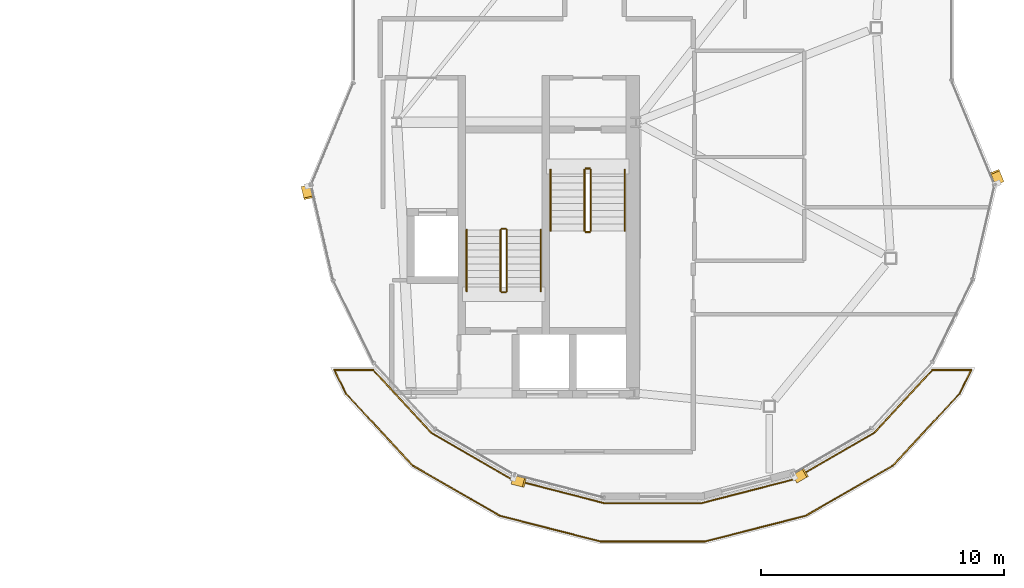
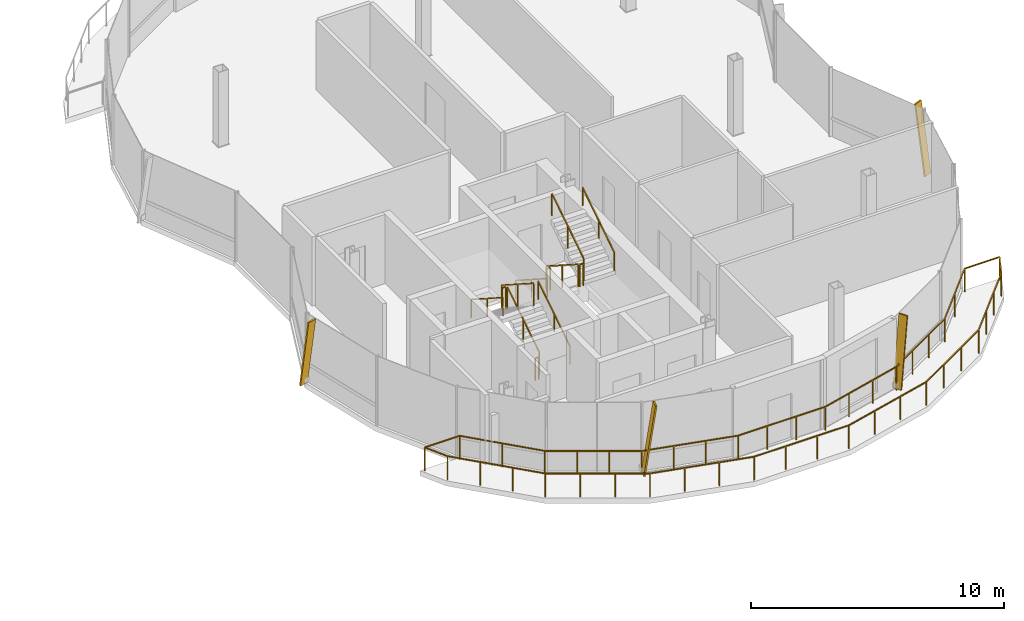
# One storey, part 19 of 20: 21 railings, 4 shading devices.
"""IFC4 building model written with IfcOpenShell, lengths in metres."""

from ifc_helpers import new_model, si_unit, direction, frame, origin, origin_2d, place, context, subcontext, project, spatial, rectangle, extrude, material, material_profile, profile_set, type_object, element, save


model = new_model("IFC4")

# Units and contexts
model_context = context("Model", 3, precision=1e-05, world=origin(), true_north=direction((0.0, 1.0)))
body_context = subcontext(model_context, "Body", "Model", "MODEL_VIEW")
ifc_project = project(units=[si_unit("LENGTHUNIT", "METRE"), si_unit("AREAUNIT", "SQUARE_METRE"), si_unit("VOLUMEUNIT", "CUBIC_METRE"), si_unit("PLANEANGLEUNIT", "RADIAN"), si_unit("MASSUNIT", "GRAM", prefix="KILO"), si_unit("THERMODYNAMICTEMPERATUREUNIT", "KELVIN"), si_unit("POWERUNIT", "WATT")], contexts=[model_context])

# Site, building, storey
site_placement = place(None, origin())
site = spatial("IfcSite", under=ifc_project, at=site_placement, CompositionType="ELEMENT")
building_placement = place(site_placement, origin())
building = spatial("IfcBuilding", under=site, at=building_placement, Name="Cundina Bronze Exchange", CompositionType="ELEMENT")
storey_placement = place(building_placement, frame((0.0, 0.0, 282.800048828125)))
storey = spatial("IfcBuildingStorey", under=building, at=storey_placement, Name="L75", CompositionType="ELEMENT", Elevation=282.800048828125)

# Railings
ifc_material_1 = material(Name="Heat-Strengthened Solar-Control Bronze Safety Glass 28mm", Category="glass")
railing_type_1 = type_object("IfcRailingType", Name="RLG-BAL-1150", PredefinedType="BALUSTRADE", material=ifc_material_1)
railing_1_placement = place(storey_placement, frame((44.640625, -15.07470703125, 0.0)))
element("IfcRailing", 1, at=railing_1_placement, inside=storey, type_object=railing_type_1, Name="L75 Perimeter Safety Guardrail 01", PredefinedType="BALUSTRADE", context=body_context, shape_type="SweptSolid", body=[
    extrude(rectangle(XDim=0.048095703125, YDim=0.048095703125, at=origin_2d()), frame((0.0, 0.0, 1.1259765625), z_axis=(-0.680478858048, -0.732767714729, 0.0), x_axis=(0.732767714729, -0.680478858048, 0.0)), (0.0, 0.0, 1.0), 4.048095703125),
    extrude(rectangle(XDim=0.048095703125, YDim=0.048095703125, at=origin_2d()), frame((-2.754638671875, -2.96630859375, 1.1259765625), z_axis=(-0.866464594672, -0.499238526338, 0.0), x_axis=(0.499238526338, -0.866464594672, 0.0)), (0.0, 0.0, 1.0), 4.13525390625),
    extrude(rectangle(XDim=0.0419921875, YDim=0.0419921875, at=origin_2d()), origin(), (0.0, 0.0, 1.0), 1.101806640625),
    extrude(rectangle(XDim=0.0419921875, YDim=0.0419921875, at=origin_2d()), frame((-0.918212890625, -0.98876953125, 0.0)), (0.0, 0.0, 1.0), 1.101806640625),
    extrude(rectangle(XDim=0.0419921875, YDim=0.0419921875, at=origin_2d()), frame((-1.83642578125, -1.9775390625, 0.0)), (0.0, 0.0, 1.0), 1.101806640625),
    extrude(rectangle(XDim=0.0419921875, YDim=0.0419921875, at=origin_2d()), frame((-2.754638671875, -2.96630859375, 0.0)), (0.0, 0.0, 1.0), 1.101806640625),
    extrude(rectangle(XDim=0.0419921875, YDim=0.0419921875, at=origin_2d()), frame((-3.948974609375, -3.654541015625, 0.0)), (0.0, 0.0, 1.0), 1.101806640625),
    extrude(rectangle(XDim=0.0419921875, YDim=0.0419921875, at=origin_2d()), frame((-5.143310546875, -4.342529296875, 0.0)), (0.0, 0.0, 1.0), 1.101806640625),
    extrude(rectangle(XDim=0.0419921875, YDim=0.0419921875, at=origin_2d()), frame((-6.337646484375, -5.03076171875, 0.0)), (0.0, 0.0, 1.0), 1.101806640625),
])
railing_2_placement = place(storey_placement, frame((38.302978515625, -20.10546875, 0.0)))
element("IfcRailing", 2, at=railing_2_placement, inside=storey, type_object=railing_type_1, Name="L75 Perimeter Safety Guardrail 02", PredefinedType="BALUSTRADE", context=body_context, shape_type="SweptSolid", body=[
    extrude(rectangle(XDim=0.048095703125, YDim=0.048095703125, at=origin_2d()), frame((0.0, 0.0, 1.1259765625), z_axis=(-0.968741395097, -0.248072790578, 0.0), x_axis=(0.248072790578, -0.968741395097, 0.0)), (0.0, 0.0, 1.0), 4.271240234375),
    extrude(rectangle(XDim=0.048095703125, YDim=0.048095703125, at=origin_2d()), frame((-4.1376953125, -1.0595703125, 1.1259765625), z_axis=(-1.0, 0.0, 0.0), x_axis=(0.0, -1.0, 0.0)), (0.0, 0.0, 1.0), 4.33056640625),
    extrude(rectangle(XDim=0.0419921875, YDim=0.0419921875, at=origin_2d()), origin(), (0.0, 0.0, 1.0), 1.101806640625),
    extrude(rectangle(XDim=0.0419921875, YDim=0.0419921875, at=origin_2d()), frame((-1.379150390625, -0.353271484375, 0.0)), (0.0, 0.0, 1.0), 1.101806640625),
    extrude(rectangle(XDim=0.0419921875, YDim=0.0419921875, at=origin_2d()), frame((-2.758544921875, -0.706298828125, 0.0)), (0.0, 0.0, 1.0), 1.101806640625),
    extrude(rectangle(XDim=0.0419921875, YDim=0.0419921875, at=origin_2d()), frame((-4.1376953125, -1.0595703125, 0.0)), (0.0, 0.0, 1.0), 1.101806640625),
    extrude(rectangle(XDim=0.0419921875, YDim=0.0419921875, at=origin_2d()), frame((-5.581298828125, -1.0595703125, 0.0)), (0.0, 0.0, 1.0), 1.101806640625),
    extrude(rectangle(XDim=0.0419921875, YDim=0.0419921875, at=origin_2d()), frame((-7.024658203125, -1.0595703125, 0.0)), (0.0, 0.0, 1.0), 1.101806640625),
    extrude(rectangle(XDim=0.0419921875, YDim=0.0419921875, at=origin_2d()), frame((-8.46826171875, -1.0595703125, 0.0)), (0.0, 0.0, 1.0), 1.101806640625),
])
railing_3_placement = place(storey_placement, frame((29.834716796875, -21.1650390625, 0.0)))
element("IfcRailing", 3, at=railing_3_placement, inside=storey, type_object=railing_type_1, Name="L75 Perimeter Safety Guardrail 03", PredefinedType="BALUSTRADE", context=body_context, shape_type="SweptSolid", body=[
    extrude(rectangle(XDim=0.048095703125, YDim=0.048095703125, at=origin_2d()), frame((0.0, 0.0, 1.1259765625), z_axis=(-0.968741395097, 0.248072790578, 0.0), x_axis=(-0.248072790578, -0.968741395097, 0.0)), (0.0, 0.0, 1.0), 4.271240234375),
    extrude(rectangle(XDim=0.048095703125, YDim=0.048095703125, at=origin_2d()), frame((-4.1376953125, 1.0595703125, 1.1259765625), z_axis=(-0.866464594672, 0.499238526338, 0.0), x_axis=(-0.499238526338, -0.866464594672, 0.0)), (0.0, 0.0, 1.0), 4.13525390625),
    extrude(rectangle(XDim=0.0419921875, YDim=0.0419921875, at=origin_2d()), origin(), (0.0, 0.0, 1.0), 1.101806640625),
    extrude(rectangle(XDim=0.0419921875, YDim=0.0419921875, at=origin_2d()), frame((-1.379150390625, 0.353271484375, 0.0)), (0.0, 0.0, 1.0), 1.101806640625),
    extrude(rectangle(XDim=0.0419921875, YDim=0.0419921875, at=origin_2d()), frame((-2.758544921875, 0.706298828125, 0.0)), (0.0, 0.0, 1.0), 1.101806640625),
    extrude(rectangle(XDim=0.0419921875, YDim=0.0419921875, at=origin_2d()), frame((-4.1376953125, 1.0595703125, 0.0)), (0.0, 0.0, 1.0), 1.101806640625),
    extrude(rectangle(XDim=0.0419921875, YDim=0.0419921875, at=origin_2d()), frame((-5.33203125, 1.747802734375, 0.0)), (0.0, 0.0, 1.0), 1.101806640625),
    extrude(rectangle(XDim=0.0419921875, YDim=0.0419921875, at=origin_2d()), frame((-6.5263671875, 2.435791015625, 0.0)), (0.0, 0.0, 1.0), 1.101806640625),
    extrude(rectangle(XDim=0.0419921875, YDim=0.0419921875, at=origin_2d()), frame((-7.720703125, 3.1240234375, 0.0)), (0.0, 0.0, 1.0), 1.101806640625),
])
railing_4_placement = place(storey_placement, frame((22.114013671875, -18.041015625, 0.0)))
element("IfcRailing", 4, at=railing_4_placement, inside=storey, type_object=railing_type_1, Name="L75 Perimeter Safety Guardrail 04", PredefinedType="BALUSTRADE", context=body_context, shape_type="SweptSolid", body=[
    extrude(rectangle(XDim=0.048095703125, YDim=0.048095703125, at=origin_2d()), frame((0.0, 0.0, 1.1259765625), z_axis=(-0.680478858048, 0.732767714729, 0.0), x_axis=(-0.732767714729, -0.680478858048, 0.0)), (0.0, 0.0, 1.0), 4.048095703125),
    extrude(rectangle(XDim=0.048095703125, YDim=0.048095703125, at=origin_2d()), frame((-2.754638671875, 2.96630859375, 1.1259765625), z_axis=(-0.43927470941, 0.898352786868, 0.0), x_axis=(-0.898352786868, -0.43927470941, 0.0)), (0.0, 0.0, 1.0), 1.0849609375),
    extrude(rectangle(XDim=0.0419921875, YDim=0.0419921875, at=origin_2d()), origin(), (0.0, 0.0, 1.0), 1.101806640625),
    extrude(rectangle(XDim=0.0419921875, YDim=0.0419921875, at=origin_2d()), frame((-0.918212890625, 0.98876953125, 0.0)), (0.0, 0.0, 1.0), 1.101806640625),
    extrude(rectangle(XDim=0.0419921875, YDim=0.0419921875, at=origin_2d()), frame((-1.83642578125, 1.9775390625, 0.0)), (0.0, 0.0, 1.0), 1.101806640625),
    extrude(rectangle(XDim=0.0419921875, YDim=0.0419921875, at=origin_2d()), frame((-2.754638671875, 2.96630859375, 0.0)), (0.0, 0.0, 1.0), 1.101806640625),
    extrude(rectangle(XDim=0.0419921875, YDim=0.0419921875, at=origin_2d()), frame((-3.231201171875, 3.94091796875, 0.0)), (0.0, 0.0, 1.0), 1.101806640625),
])
railing_5_placement = place(storey_placement, frame((18.8828125, -14.10009765625, 0.0)))
element("IfcRailing", 5, at=railing_5_placement, inside=storey, type_object=railing_type_1, Name="L75 Perimeter Safety Guardrail 05", PredefinedType="BALUSTRADE", context=body_context, shape_type="SweptSolid", body=[
    extrude(rectangle(XDim=0.048095703125, YDim=0.048095703125, at=origin_2d()), frame((0.0, 0.0, 1.1259765625), z_axis=(1.0, 0.0, 0.0), x_axis=(0.0, 1.0, 0.0)), (0.0, 0.0, 1.0), 1.595458984375),
    extrude(rectangle(XDim=0.048095703125, YDim=0.048095703125, at=origin_2d()), frame((1.595458984375, 0.0, 1.1259765625), z_axis=(0.679395599719, -0.733772184729, 0.0), x_axis=(0.733772184729, 0.679395599719, 0.0)), (0.0, 0.0, 1.0), 3.5244140625),
    extrude(rectangle(XDim=0.0419921875, YDim=0.0419921875, at=origin_2d()), origin(), (0.0, 0.0, 1.0), 1.101806640625),
    extrude(rectangle(XDim=0.0419921875, YDim=0.0419921875, at=origin_2d()), frame((1.595458984375, 0.0, 0.0)), (0.0, 0.0, 1.0), 1.101806640625),
    extrude(rectangle(XDim=0.0419921875, YDim=0.0419921875, at=origin_2d()), frame((2.792724609375, -1.29296875, 0.0)), (0.0, 0.0, 1.0), 1.101806640625),
    extrude(rectangle(XDim=0.0419921875, YDim=0.0419921875, at=origin_2d()), frame((3.989990234375, -2.586181640625, 0.0)), (0.0, 0.0, 1.0), 1.101806640625),
])
railing_6_placement = place(storey_placement, frame((22.872802734375, -16.686279296875, 0.0)))
element("IfcRailing", 6, at=railing_6_placement, inside=storey, type_object=railing_type_1, Name="L75 Perimeter Safety Guardrail 06", PredefinedType="BALUSTRADE", context=body_context, shape_type="SweptSolid", body=[
    extrude(rectangle(XDim=0.048095703125, YDim=0.048095703125, at=origin_2d()), frame((0.0, 0.0, 1.1259765625), z_axis=(0.86517535854, -0.501469439721, 0.0), x_axis=(0.501469439721, 0.86517535854, 0.0)), (0.0, 0.0, 1.0), 3.82080078125),
    extrude(rectangle(XDim=0.048095703125, YDim=0.048095703125, at=origin_2d()), frame((3.3056640625, -1.916015625, 1.1259765625), z_axis=(0.968310500269, -0.249749424563, 0.0), x_axis=(0.249749424563, 0.968310500269, 0.0)), (0.0, 0.0, 1.0), 3.9619140625),
    extrude(rectangle(XDim=0.0419921875, YDim=0.0419921875, at=origin_2d()), origin(), (0.0, 0.0, 1.0), 1.101806640625),
    extrude(rectangle(XDim=0.0419921875, YDim=0.0419921875, at=origin_2d()), frame((1.101806640625, -0.638671875, 0.0)), (0.0, 0.0, 1.0), 1.101806640625),
    extrude(rectangle(XDim=0.0419921875, YDim=0.0419921875, at=origin_2d()), frame((2.203857421875, -1.27734375, 0.0)), (0.0, 0.0, 1.0), 1.101806640625),
    extrude(rectangle(XDim=0.0419921875, YDim=0.0419921875, at=origin_2d()), frame((3.3056640625, -1.916015625, 0.0)), (0.0, 0.0, 1.0), 1.101806640625),
    extrude(rectangle(XDim=0.0419921875, YDim=0.0419921875, at=origin_2d()), frame((4.58447265625, -2.245849609375, 0.0)), (0.0, 0.0, 1.0), 1.101806640625),
    extrude(rectangle(XDim=0.0419921875, YDim=0.0419921875, at=origin_2d()), frame((5.86328125, -2.57568359375, 0.0)), (0.0, 0.0, 1.0), 1.101806640625),
    extrude(rectangle(XDim=0.0419921875, YDim=0.0419921875, at=origin_2d()), frame((7.14208984375, -2.905517578125, 0.0)), (0.0, 0.0, 1.0), 1.101806640625),
])
railing_7_placement = place(storey_placement, frame((30.014892578125, -19.591796875, 0.0)))
element("IfcRailing", 7, at=railing_7_placement, inside=storey, type_object=railing_type_1, Name="L75 Perimeter Safety Guardrail 07", PredefinedType="BALUSTRADE", context=body_context, shape_type="SweptSolid", body=[
    extrude(rectangle(XDim=0.048095703125, YDim=0.048095703125, at=origin_2d()), frame((0.0, 0.0, 1.1259765625), z_axis=(0.999999992474, 0.000122684332, 0.0), x_axis=(-0.000122684332, 0.999999992474, 0.0)), (0.0, 0.0, 1.0), 3.97998046875),
    extrude(rectangle(XDim=0.048095703125, YDim=0.048095703125, at=origin_2d()), frame((3.97998046875, 0.00048828125, 1.1259765625), z_axis=(0.968349470457, 0.249598283379, 0.0), x_axis=(-0.249598283379, 0.968349470457, 0.0)), (0.0, 0.0, 1.0), 3.93310546875),
    extrude(rectangle(XDim=0.0419921875, YDim=0.0419921875, at=origin_2d()), origin(), (0.0, 0.0, 1.0), 1.101806640625),
    extrude(rectangle(XDim=0.0419921875, YDim=0.0419921875, at=origin_2d()), frame((1.32666015625, 0.000244140625, 0.0)), (0.0, 0.0, 1.0), 1.101806640625),
    extrude(rectangle(XDim=0.0419921875, YDim=0.0419921875, at=origin_2d()), frame((2.6533203125, 0.000244140625, 0.0)), (0.0, 0.0, 1.0), 1.101806640625),
    extrude(rectangle(XDim=0.0419921875, YDim=0.0419921875, at=origin_2d()), frame((3.97998046875, 0.00048828125, 0.0)), (0.0, 0.0, 1.0), 1.101806640625),
    extrude(rectangle(XDim=0.0419921875, YDim=0.0419921875, at=origin_2d()), frame((5.24951171875, 0.32763671875, 0.0)), (0.0, 0.0, 1.0), 1.101806640625),
    extrude(rectangle(XDim=0.0419921875, YDim=0.0419921875, at=origin_2d()), frame((6.51904296875, 0.655029296875, 0.0)), (0.0, 0.0, 1.0), 1.101806640625),
    extrude(rectangle(XDim=0.0419921875, YDim=0.0419921875, at=origin_2d()), frame((7.78857421875, 0.982177734375, 0.0)), (0.0, 0.0, 1.0), 1.101806640625),
])
railing_8_placement = place(storey_placement, frame((37.803466796875, -18.609619140625, 0.0)))
element("IfcRailing", 8, at=railing_8_placement, inside=storey, type_object=railing_type_1, Name="L75 Perimeter Safety Guardrail 08", PredefinedType="BALUSTRADE", context=body_context, shape_type="SweptSolid", body=[
    extrude(rectangle(XDim=0.048095703125, YDim=0.048095703125, at=origin_2d()), frame((0.0, 0.0, 1.1259765625), z_axis=(0.865530732652, 0.50085581841, 0.0), x_axis=(-0.50085581841, 0.865530732652, 0.0)), (0.0, 0.0, 1.0), 3.840087890625),
    extrude(rectangle(XDim=0.048095703125, YDim=0.048095703125, at=origin_2d()), frame((3.32373046875, 1.92333984375, 1.1259765625), z_axis=(0.679395599719, 0.733772184729, 0.0), x_axis=(-0.733772184729, 0.679395599719, 0.0)), (0.0, 0.0, 1.0), 3.5244140625),
    extrude(rectangle(XDim=0.0419921875, YDim=0.0419921875, at=origin_2d()), origin(), (0.0, 0.0, 1.0), 1.101806640625),
    extrude(rectangle(XDim=0.0419921875, YDim=0.0419921875, at=origin_2d()), frame((1.10791015625, 0.64111328125, 0.0)), (0.0, 0.0, 1.0), 1.101806640625),
    extrude(rectangle(XDim=0.0419921875, YDim=0.0419921875, at=origin_2d()), frame((2.2158203125, 1.2822265625, 0.0)), (0.0, 0.0, 1.0), 1.101806640625),
    extrude(rectangle(XDim=0.0419921875, YDim=0.0419921875, at=origin_2d()), frame((3.32373046875, 1.92333984375, 0.0)), (0.0, 0.0, 1.0), 1.101806640625),
    extrude(rectangle(XDim=0.0419921875, YDim=0.0419921875, at=origin_2d()), frame((4.52099609375, 3.21630859375, 0.0)), (0.0, 0.0, 1.0), 1.101806640625),
    extrude(rectangle(XDim=0.0419921875, YDim=0.0419921875, at=origin_2d()), frame((5.71826171875, 4.509521484375, 0.0)), (0.0, 0.0, 1.0), 1.101806640625),
])
railing_9_placement = place(storey_placement, frame((43.521728515625, -14.10009765625, 0.0)))
element("IfcRailing", 9, at=railing_9_placement, inside=storey, type_object=railing_type_1, Name="L75 Perimeter Safety Guardrail 09", PredefinedType="BALUSTRADE", context=body_context, shape_type="SweptSolid", body=[
    extrude(rectangle(XDim=0.048095703125, YDim=0.048095703125, at=origin_2d()), frame((0.0, 0.0, 1.1259765625), z_axis=(1.0, 0.0, 0.0), x_axis=(0.0, 1.0, 0.0)), (0.0, 0.0, 1.0), 1.595458984375),
    extrude(rectangle(XDim=0.048095703125, YDim=0.048095703125, at=origin_2d()), frame((1.595458984375, 0.0, 1.1259765625), z_axis=(-0.43927470941, -0.898352786868, 0.0), x_axis=(0.898352786868, -0.43927470941, 0.0)), (0.0, 0.0, 1.0), 1.0849609375),
    extrude(rectangle(XDim=0.0419921875, YDim=0.0419921875, at=origin_2d()), origin(), (0.0, 0.0, 1.0), 1.101806640625),
    extrude(rectangle(XDim=0.0419921875, YDim=0.0419921875, at=origin_2d()), frame((1.595458984375, 0.0, 0.0)), (0.0, 0.0, 1.0), 1.101806640625),
    extrude(rectangle(XDim=0.0419921875, YDim=0.0419921875, at=origin_2d()), frame((1.118896484375, -0.974609375, 0.0)), (0.0, 0.0, 1.0), 1.101806640625),
])
ifc_material_2 = material(Name="Steel ASTM A36 Painted", Category="steel")
railing_type_2 = type_object("IfcRailingType", Name="RLG-HND-900", PredefinedType="HANDRAIL", material=ifc_material_2)
railing_10_placement = place(storey_placement, frame((27.7900390625, -5.85009765625, 0.179931640625)))
element("IfcRailing", 10, at=railing_10_placement, inside=storey, type_object=railing_type_2, Name="L75 ST-E1 stair handrail 1", PredefinedType="HANDRAIL", context=body_context, shape_type="SweptSolid", body=[
    extrude(rectangle(XDim=0.048095703125, YDim=0.048095703125, at=origin_2d()), frame((0.0, 0.0, 0.8759765625), z_axis=(0.0, -0.841162588446, 0.540782303519), x_axis=(1.0, 0.0, 0.0)), (0.0, 0.0, 1.0), 2.995849609375),
    extrude(rectangle(XDim=0.0419921875, YDim=0.0419921875, at=origin_2d()), origin(), (0.0, 0.0, 1.0), 0.851806640625),
    extrude(rectangle(XDim=0.0419921875, YDim=0.0419921875, at=origin_2d()), frame((0.0, -1.260009765625, 0.81005859375)), (0.0, 0.0, 1.0), 0.851806640625),
    extrude(rectangle(XDim=0.0419921875, YDim=0.0419921875, at=origin_2d()), frame((0.0, -2.52001953125, 1.6201171875)), (0.0, 0.0, 1.0), 0.851806640625),
])
railing_11_placement = place(storey_placement, frame((30.85009765625, -8.3701171875, 1.97998046875)))
element("IfcRailing", 11, at=railing_11_placement, inside=storey, type_object=railing_type_2, Name="L75 ST-E1 stair handrail 2", PredefinedType="HANDRAIL", context=body_context, shape_type="SweptSolid", body=[
    extrude(rectangle(XDim=0.048095703125, YDim=0.048095703125, at=origin_2d()), frame((0.0, 0.0, 0.8759765625), z_axis=(0.0, 0.841199657755, 0.540724639528), x_axis=(-1.0, 0.0, 0.0)), (0.0, 0.0, 1.0), 2.995849609375),
    extrude(rectangle(XDim=0.0419921875, YDim=0.0419921875, at=origin_2d()), origin(), (0.0, 0.0, 1.0), 0.851806640625),
    extrude(rectangle(XDim=0.0419921875, YDim=0.0419921875, at=origin_2d()), frame((0.0, 1.260009765625, 0.81005859375)), (0.0, 0.0, 1.0), 0.851806640625),
    extrude(rectangle(XDim=0.0419921875, YDim=0.0419921875, at=origin_2d()), frame((0.0, 2.52001953125, 1.619873046875)), (0.0, 0.0, 1.0), 0.851806640625),
])
railing_12_placement = place(storey_placement, frame((27.389892578125, -10.85009765625, 0.179931640625)))
element("IfcRailing", 12, at=railing_12_placement, inside=storey, type_object=railing_type_2, Name="L75 ST-E2 stair handrail 1", PredefinedType="HANDRAIL", context=body_context, shape_type="SweptSolid", body=[
    extrude(rectangle(XDim=0.048095703125, YDim=0.048095703125, at=origin_2d()), frame((0.0, 0.0, 0.8759765625), z_axis=(0.0, 0.841162588446, 0.540782303519), x_axis=(-1.0, 0.0, 0.0)), (0.0, 0.0, 1.0), 2.995849609375),
    extrude(rectangle(XDim=0.0419921875, YDim=0.0419921875, at=origin_2d()), origin(), (0.0, 0.0, 1.0), 0.851806640625),
    extrude(rectangle(XDim=0.0419921875, YDim=0.0419921875, at=origin_2d()), frame((0.0, 1.260009765625, 0.81005859375)), (0.0, 0.0, 1.0), 0.851806640625),
    extrude(rectangle(XDim=0.0419921875, YDim=0.0419921875, at=origin_2d()), frame((0.0, 2.52001953125, 1.6201171875)), (0.0, 0.0, 1.0), 0.851806640625),
])
railing_13_placement = place(storey_placement, frame((24.330078125, -8.330078125, 1.97998046875)))
element("IfcRailing", 13, at=railing_13_placement, inside=storey, type_object=railing_type_2, Name="L75 ST-E2 stair handrail 2", PredefinedType="HANDRAIL", context=body_context, shape_type="SweptSolid", body=[
    extrude(rectangle(XDim=0.048095703125, YDim=0.048095703125, at=origin_2d()), frame((0.0, 0.0, 0.8759765625), z_axis=(0.0, -0.841199657755, 0.540724639528), x_axis=(1.0, 0.0, 0.0)), (0.0, 0.0, 1.0), 2.995849609375),
    extrude(rectangle(XDim=0.0419921875, YDim=0.0419921875, at=origin_2d()), origin(), (0.0, 0.0, 1.0), 0.851806640625),
    extrude(rectangle(XDim=0.0419921875, YDim=0.0419921875, at=origin_2d()), frame((0.0, -1.260009765625, 0.81005859375)), (0.0, 0.0, 1.0), 0.851806640625),
    extrude(rectangle(XDim=0.0419921875, YDim=0.0419921875, at=origin_2d()), frame((0.0, -2.52001953125, 1.619873046875)), (0.0, 0.0, 1.0), 0.851806640625),
])
railing_type_3 = type_object("IfcRailingType", Name="RLG-STG-1100", PredefinedType="GUARDRAIL", material=ifc_material_2)
railing_14_placement = place(storey_placement, frame((29.18994140625, -5.85009765625, 0.179931640625)))
element("IfcRailing", 14, at=railing_14_placement, inside=storey, type_object=railing_type_3, Name="L75 ST-E1 stair guard 1", PredefinedType="GUARDRAIL", context=body_context, shape_type="SweptSolid", body=[
    extrude(rectangle(XDim=0.048095703125, YDim=0.048095703125, at=origin_2d()), frame((0.0, 0.0, 1.076171875), z_axis=(0.0, -0.841162588446, 0.540782303519), x_axis=(1.0, 0.0, 0.0)), (0.0, 0.0, 1.0), 2.995849609375),
    extrude(rectangle(XDim=0.0419921875, YDim=0.0419921875, at=origin_2d()), origin(), (0.0, 0.0, 1.0), 1.052001953125),
    extrude(rectangle(XDim=0.0419921875, YDim=0.0419921875, at=origin_2d()), frame((0.0, -1.260009765625, 0.81005859375)), (0.0, 0.0, 1.0), 1.052001953125),
    extrude(rectangle(XDim=0.0419921875, YDim=0.0419921875, at=origin_2d()), frame((0.0, -2.52001953125, 1.6201171875)), (0.0, 0.0, 1.0), 1.052001953125),
])
railing_15_placement = place(storey_placement, frame((29.239990234375, -8.419921875, 1.800048828125)))
element("IfcRailing", 15, at=railing_15_placement, inside=storey, type_object=railing_type_3, Name="L75 ST-E1 stair guard 2", PredefinedType="GUARDRAIL", context=body_context, shape_type="SweptSolid", body=[
    extrude(rectangle(XDim=0.048095703125, YDim=0.048095703125, at=origin_2d()), frame((0.0, 0.0, 1.076171875), z_axis=(1.0, 0.0, 0.0), x_axis=(0.0, 1.0, 0.0)), (0.0, 0.0, 1.0), 0.159912109375),
    extrude(rectangle(XDim=0.0419921875, YDim=0.0419921875, at=origin_2d()), origin(), (0.0, 0.0, 1.0), 1.052001953125),
    extrude(rectangle(XDim=0.0419921875, YDim=0.0419921875, at=origin_2d()), frame((0.159912109375, 0.0, 0.0)), (0.0, 0.0, 1.0), 1.052001953125),
])
railing_16_placement = place(storey_placement, frame((29.449951171875, -8.3701171875, 1.97998046875)))
element("IfcRailing", 16, at=railing_16_placement, inside=storey, type_object=railing_type_3, Name="L75 ST-E1 stair guard 3", PredefinedType="GUARDRAIL", context=body_context, shape_type="SweptSolid", body=[
    extrude(rectangle(XDim=0.048095703125, YDim=0.048095703125, at=origin_2d()), frame((0.0, 0.0, 1.076171875), z_axis=(0.0, 0.841199657755, 0.540724639528), x_axis=(-1.0, 0.0, 0.0)), (0.0, 0.0, 1.0), 2.995849609375),
    extrude(rectangle(XDim=0.0419921875, YDim=0.0419921875, at=origin_2d()), origin(), (0.0, 0.0, 1.0), 1.052001953125),
    extrude(rectangle(XDim=0.0419921875, YDim=0.0419921875, at=origin_2d()), frame((0.0, 1.260009765625, 0.81005859375)), (0.0, 0.0, 1.0), 1.052001953125),
    extrude(rectangle(XDim=0.0419921875, YDim=0.0419921875, at=origin_2d()), frame((0.0, 2.52001953125, 1.619873046875)), (0.0, 0.0, 1.0), 1.052001953125),
])
railing_17_placement = place(storey_placement, frame((29.239990234375, -5.800048828125, 0.0)))
element("IfcRailing", 17, at=railing_17_placement, inside=storey, type_object=railing_type_3, Name="L75 ST-E1 stair guard 4", PredefinedType="GUARDRAIL", context=body_context, shape_type="SweptSolid", body=[
    extrude(rectangle(XDim=0.048095703125, YDim=0.048095703125, at=origin_2d()), frame((0.0, 0.0, 1.076171875), z_axis=(1.0, 0.0, 0.0), x_axis=(0.0, 1.0, 0.0)), (0.0, 0.0, 1.0), 0.159912109375),
    extrude(rectangle(XDim=0.0419921875, YDim=0.0419921875, at=origin_2d()), origin(), (0.0, 0.0, 1.0), 1.052001953125),
    extrude(rectangle(XDim=0.0419921875, YDim=0.0419921875, at=origin_2d()), frame((0.159912109375, 0.0, 0.0)), (0.0, 0.0, 1.0), 1.052001953125),
])
railing_18_placement = place(storey_placement, frame((25.989990234375, -10.85009765625, 0.179931640625)))
element("IfcRailing", 18, at=railing_18_placement, inside=storey, type_object=railing_type_3, Name="L75 ST-E2 stair guard 1", PredefinedType="GUARDRAIL", context=body_context, shape_type="SweptSolid", body=[
    extrude(rectangle(XDim=0.048095703125, YDim=0.048095703125, at=origin_2d()), frame((0.0, 0.0, 1.076171875), z_axis=(0.0, 0.841162588446, 0.540782303519), x_axis=(-1.0, 0.0, 0.0)), (0.0, 0.0, 1.0), 2.995849609375),
    extrude(rectangle(XDim=0.0419921875, YDim=0.0419921875, at=origin_2d()), origin(), (0.0, 0.0, 1.0), 1.052001953125),
    extrude(rectangle(XDim=0.0419921875, YDim=0.0419921875, at=origin_2d()), frame((0.0, 1.260009765625, 0.81005859375)), (0.0, 0.0, 1.0), 1.052001953125),
    extrude(rectangle(XDim=0.0419921875, YDim=0.0419921875, at=origin_2d()), frame((0.0, 2.52001953125, 1.6201171875)), (0.0, 0.0, 1.0), 1.052001953125),
])
railing_19_placement = place(storey_placement, frame((25.93994140625, -8.280029296875, 1.800048828125)))
element("IfcRailing", 19, at=railing_19_placement, inside=storey, type_object=railing_type_3, Name="L75 ST-E2 stair guard 2", PredefinedType="GUARDRAIL", context=body_context, shape_type="SweptSolid", body=[
    extrude(rectangle(XDim=0.048095703125, YDim=0.048095703125, at=origin_2d()), frame((0.0, 0.0, 1.076171875), z_axis=(-1.0, 0.0, 0.0), x_axis=(0.0, -1.0, 0.0)), (0.0, 0.0, 1.0), 0.159912109375),
    extrude(rectangle(XDim=0.0419921875, YDim=0.0419921875, at=origin_2d()), origin(), (0.0, 0.0, 1.0), 1.052001953125),
    extrude(rectangle(XDim=0.0419921875, YDim=0.0419921875, at=origin_2d()), frame((-0.159912109375, 0.0, 0.0)), (0.0, 0.0, 1.0), 1.052001953125),
])
railing_20_placement = place(storey_placement, frame((25.72998046875, -8.330078125, 1.97998046875)))
element("IfcRailing", 20, at=railing_20_placement, inside=storey, type_object=railing_type_3, Name="L75 ST-E2 stair guard 3", PredefinedType="GUARDRAIL", context=body_context, shape_type="SweptSolid", body=[
    extrude(rectangle(XDim=0.048095703125, YDim=0.048095703125, at=origin_2d()), frame((0.0, 0.0, 1.076171875), z_axis=(0.0, -0.841199657755, 0.540724639528), x_axis=(1.0, 0.0, 0.0)), (0.0, 0.0, 1.0), 2.995849609375),
    extrude(rectangle(XDim=0.0419921875, YDim=0.0419921875, at=origin_2d()), origin(), (0.0, 0.0, 1.0), 1.052001953125),
    extrude(rectangle(XDim=0.0419921875, YDim=0.0419921875, at=origin_2d()), frame((0.0, -1.260009765625, 0.81005859375)), (0.0, 0.0, 1.0), 1.052001953125),
    extrude(rectangle(XDim=0.0419921875, YDim=0.0419921875, at=origin_2d()), frame((0.0, -2.52001953125, 1.619873046875)), (0.0, 0.0, 1.0), 1.052001953125),
])
railing_21_placement = place(storey_placement, frame((25.93994140625, -10.89990234375, 0.0)))
element("IfcRailing", 21, at=railing_21_placement, inside=storey, type_object=railing_type_3, Name="L75 ST-E2 stair guard 4", PredefinedType="GUARDRAIL", context=body_context, shape_type="SweptSolid", body=[
    extrude(rectangle(XDim=0.048095703125, YDim=0.048095703125, at=origin_2d()), frame((0.0, 0.0, 1.076171875), z_axis=(-1.0, 0.0, 0.0), x_axis=(0.0, -1.0, 0.0)), (0.0, 0.0, 1.0), 0.159912109375),
    extrude(rectangle(XDim=0.0419921875, YDim=0.0419921875, at=origin_2d()), origin(), (0.0, 0.0, 1.0), 1.052001953125),
    extrude(rectangle(XDim=0.0419921875, YDim=0.0419921875, at=origin_2d()), frame((-0.159912109375, 0.0, 0.0)), (0.0, 0.0, 1.0), 1.052001953125),
])

# Shading devices
ifc_material_3 = material(Name="Anodised Bronze Aluminium 6063-T6", Category="aluminium")
ifc_material_profile = material_profile(ifc_material_3, rectangle(XDim=0.070068359375, YDim=0.3798828125, at=origin_2d()), Name="FIN70X380", Category="aluminium")
ifc_profile_set = profile_set([ifc_material_profile], Name="Anodised Bronze Aluminium 6063-T6")
shading_device_type = type_object("IfcShadingDeviceType", Name="SHD-FIN-BRZ380", PredefinedType="USERDEFINED", material=ifc_profile_set)
for number, where, z_axis, x_axis, name in (
    (22, (17.70849609375, -6.54443359375, 0.02001953125), (0.03250557226, -0.140198583057, 0.989589685213), (-0.223511197181, 0.964017888742, 0.143917528186), "L75 Diagonal Bronze Solar Fin 1"),
    (23, (26.2451171875, -18.62744140625, 0.02001953125), (0.139392541617, -0.035946290932, 0.989584550966), (-0.958235473959, 0.247107992497, 0.143952827309), "L75 Diagonal Bronze Solar Fin 5"),
    (24, (37.868408203125, -18.5810546875, 0.02001953125), (0.124531728208, 0.072112729151, 0.989591634445), (-0.856372650345, -0.495900682299, 0.143904124458), "L75 Diagonal Bronze Solar Fin 1"),
    (25, (46.2783203125, -6.385009765625, 0.02001953125), (-0.055127619035, 0.1329505394, 0.989588348604), (0.37903768001, -0.914120088842, 0.143926718531), "L75 Diagonal Bronze Solar Fin 5"),
):
    element("IfcShadingDevice", number, at=place(storey_placement, frame(where, z_axis=z_axis, x_axis=x_axis)), inside=storey, type_object=shading_device_type, Name=name, ObjectType="FIN", PredefinedType="USERDEFINED", context=body_context, shape_type="SweptSolid", body=[
        extrude(rectangle(XDim=0.070068359375, YDim=0.3798828125, at=origin_2d()), origin(), (0.0, 0.0, 1.0), 3.334716796875),
    ])

save(model, "model.ifc")
